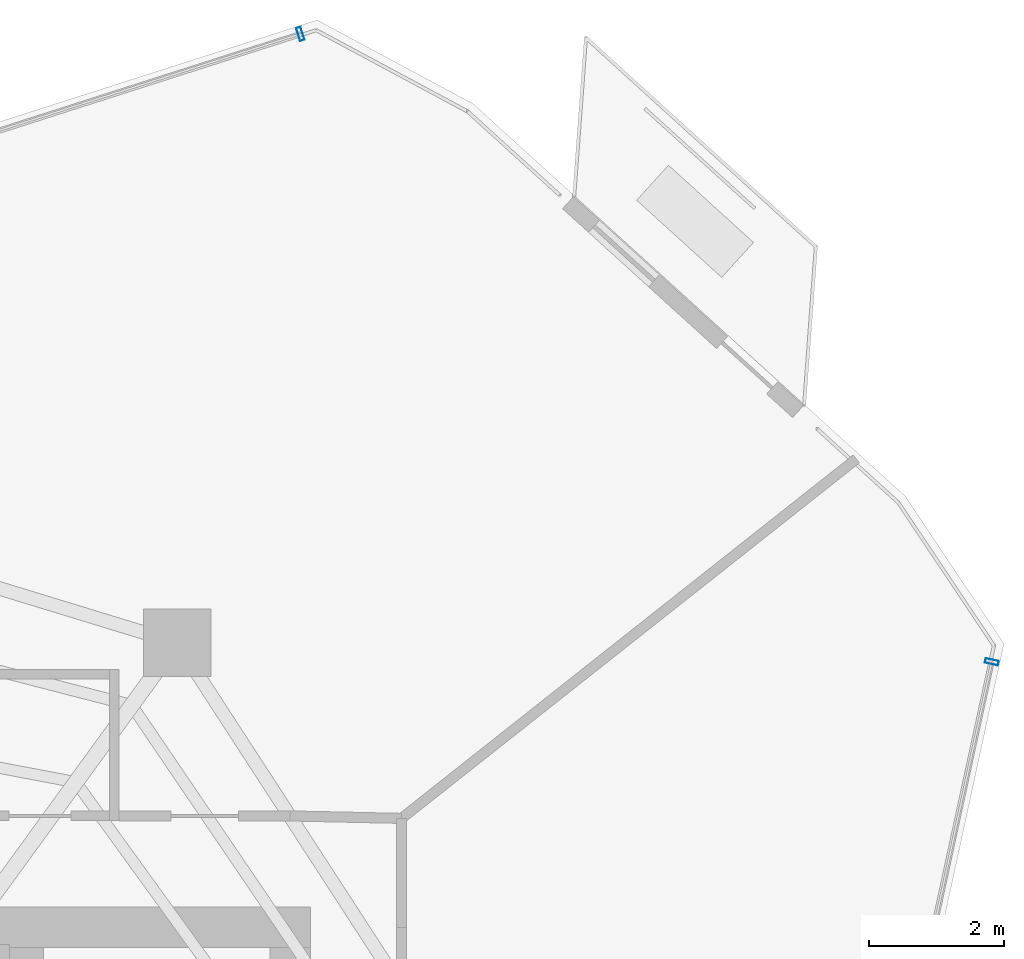
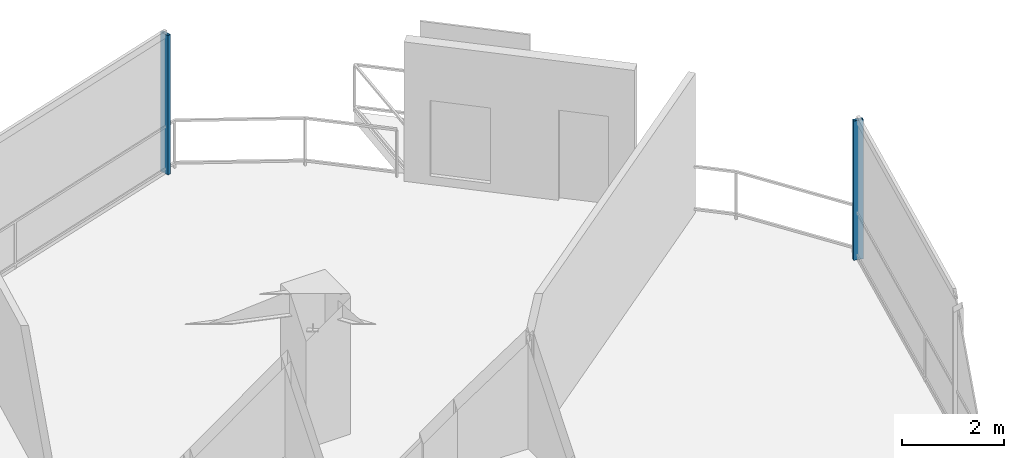
# One storey, part 15 of 21: 2 members, 2 elements without a shape of their own.
"""IFC4 building model written with IfcOpenShell, lengths in metres."""

from ifc_helpers import new_model, si_unit, direction, frame, origin, origin_2d, place, context, subcontext, project, spatial, hollow_rectangle, extrude, material, layer, layer_set, material_profile, profile_set, type_object, element, aggregate, save


model = new_model("IFC4")

# Units and contexts
model_context = context("Model", 3, precision=1e-05, world=origin(), true_north=direction((0.0, 1.0)))
body_context = subcontext(model_context, "Body", "Model", "MODEL_VIEW")
ifc_project = project(units=[si_unit("LENGTHUNIT", "METRE"), si_unit("AREAUNIT", "SQUARE_METRE"), si_unit("VOLUMEUNIT", "CUBIC_METRE"), si_unit("PLANEANGLEUNIT", "RADIAN"), si_unit("MASSUNIT", "GRAM", prefix="KILO")], contexts=[model_context])

# Site, building, storey
site_placement = place(None, origin())
site = spatial("IfcSite", under=ifc_project, at=site_placement, CompositionType="ELEMENT")
building_placement = place(site_placement, origin())
building = spatial("IfcBuilding", under=site, at=building_placement, Name="Qarnah Convention Tower", CompositionType="ELEMENT")
storey_placement = place(building_placement, frame((0.0, 0.0, 132.89990234375)))
storey = spatial("IfcBuildingStorey", under=building, at=storey_placement, Name="L35", CompositionType="ELEMENT", Elevation=132.89990234375)

# Curtain wall, member
ifc_material_1 = material(Name="Tempered Low-E dark glass", Category="glass")
ifc_layer = layer(ifc_material_1, 0.172119140625)
ifc_layer_set = layer_set([ifc_layer], Name="Tempered Low-E dark glass")
curtain_wall_type = type_object("IfcCurtainWallType", Name="CWS-03", PredefinedType="NOTDEFINED", material=ifc_layer_set)
curtain_wall_1_placement = place(storey_placement, origin())
curtain_wall_1 = element("IfcCurtainWall", 1, at=curtain_wall_1_placement, inside=storey, type_object=curtain_wall_type, Name="L35 unitised curtain wall CW-L35-F2", PredefinedType="NOTDEFINED")
ifc_material_2 = material(Name="Black anodised aluminium", Category="aluminium")
ifc_material_profile = material_profile(ifc_material_2, hollow_rectangle(XDim=0.070068359375, YDim=0.199951171875, WallThickness=0.0048828125, at=origin_2d()), Name="MUL-70X200")
ifc_profile_set = profile_set([ifc_material_profile], Name="Black anodised aluminium")
member_type = type_object("IfcMemberType", Name="MUL-T3", PredefinedType="MULLION", material=ifc_profile_set)
member_1_placement = place(storey_placement, frame((47.751953125, 47.426025390625, 0.0), z_axis=(0.0, 0.0, 1.0), x_axis=(0.952343406787, 0.305027925851, 0.0)))
member_1 = element("IfcMember", 2, at=member_1_placement, type_object=member_type, Name="CW-L35-F2 mullion 6", PredefinedType="MULLION", context=body_context, shape_type="SweptSolid", body=[
    extrude(hollow_rectangle(XDim=0.070068359375, YDim=0.199951171875, WallThickness=0.0048828125, at=origin_2d()), origin(), (0.0, 0.0, 1.0), 3.320068359375),
])
aggregate(curtain_wall_1, [member_1])

curtain_wall_2_placement = place(storey_placement, origin())
curtain_wall_2 = element("IfcCurtainWall", 3, at=curtain_wall_2_placement, inside=storey, type_object=curtain_wall_type, Name="L35 unitised curtain wall CW-L35-F3", PredefinedType="NOTDEFINED")
member_2_placement = place(storey_placement, frame((57.987060546875, 38.131103515625, 0.0), z_axis=(0.0, 0.0, 1.0), x_axis=(-0.21201753146, -0.977265862677, 0.0)))
member_2 = element("IfcMember", 4, at=member_2_placement, type_object=member_type, Name="CW-L35-F3 mullion 1", PredefinedType="MULLION", context=body_context, shape_type="SweptSolid", body=[
    extrude(hollow_rectangle(XDim=0.070068359375, YDim=0.199951171875, WallThickness=0.0048828125, at=origin_2d()), origin(), (0.0, 0.0, 1.0), 3.320068359375),
])
aggregate(curtain_wall_2, [member_2])

save(model, "model.ifc")
